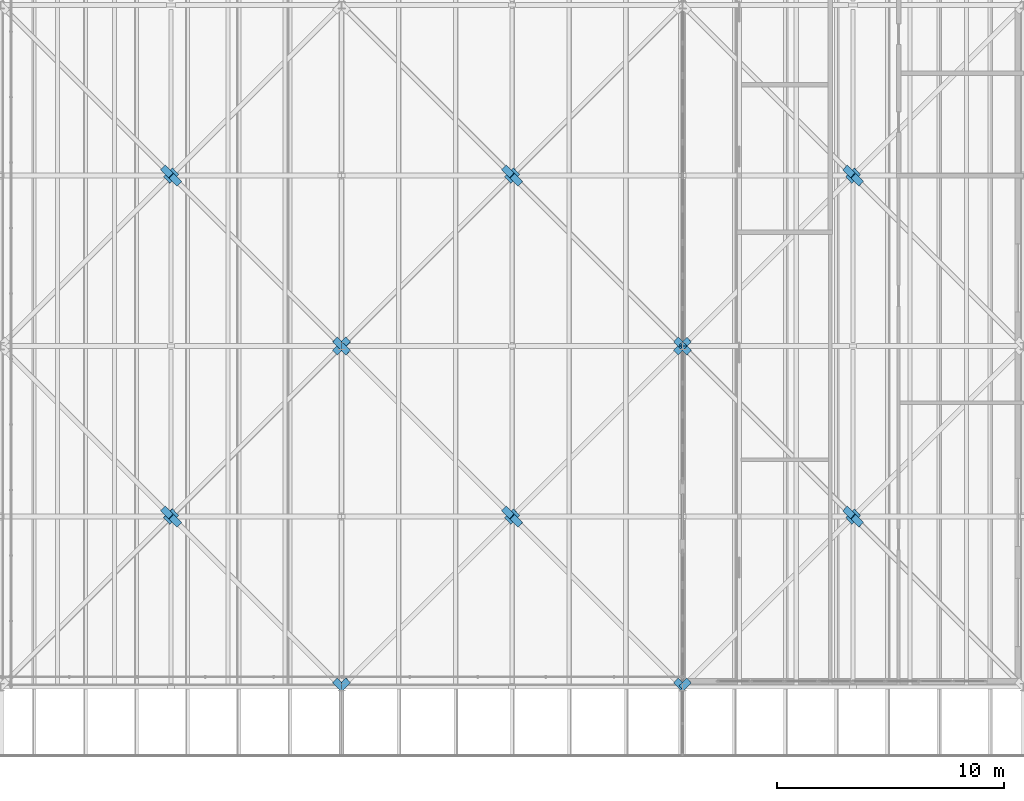
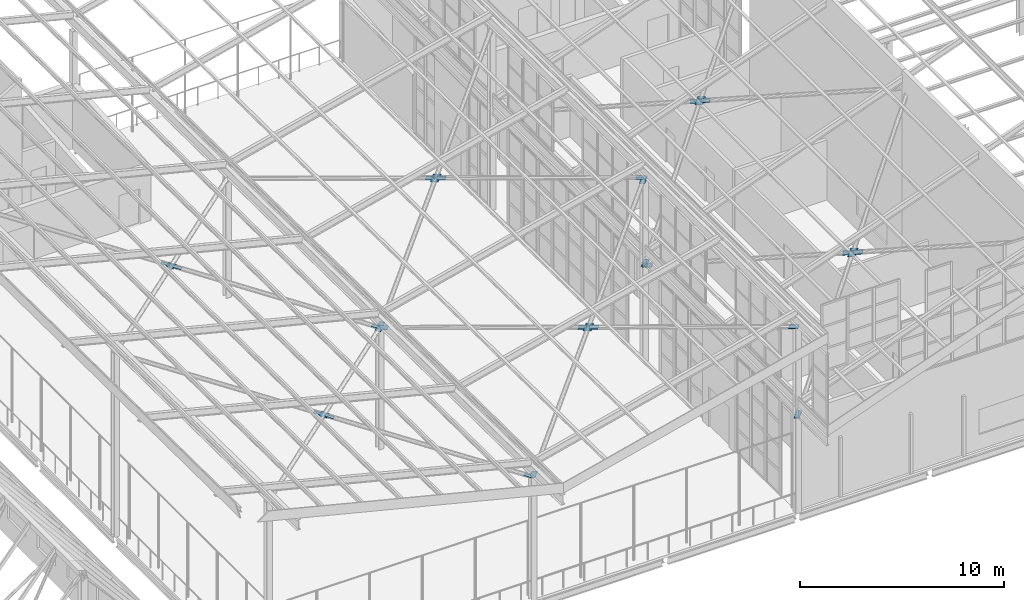
# One storey, part 431 of 483: 30 discrete accessories.
"""IFC4 building model written with IfcOpenShell, lengths in metres."""

import ifcopenshell
import ifcopenshell.guid

model = None  # the IFC model being written
_history = None  # IfcOwnerHistory: only IFC2X3 demands one
_inside = {}  # id of a spatial element -> (the spatial element, [elements in it])
_under = {}  # id of a project, library or spatial element -> (it, [spatial elements below it])
_declared = {}  # id of a project -> (the project, [libraries it declares])
_typed = {}  # id of a type object -> (the type object, [elements of that type])
_made_of = {}  # id of a material, layer set ... -> (it, [elements and type objects made of it])


def new_model(schema):
    """Start an empty IFC model of exactly this schema.

    Asked for "IFC4X3", IfcOpenShell would pick the latest addendum, in which some entities
    have other attributes; the version numbers below select the first issue.
    IFC2X3 requires an IfcOwnerHistory on every rooted entity: one is made here for all.
    """
    global model, _history
    if schema == "IFC4X3":
        model = ifcopenshell.file(schema_version=(4, 3, 0, 0))
    else:
        model = ifcopenshell.file(schema=schema)
    _inside.clear()
    _under.clear()
    _declared.clear()
    _typed.clear()
    _made_of.clear()
    _history = None
    if model.schema == "IFC2X3":
        org = make("IfcOrganization", Name="unknown")
        user = make(
            "IfcPersonAndOrganization",
            ThePerson=make("IfcPerson", FamilyName="unknown"),
            TheOrganization=org,
        )
        app = make(
            "IfcApplication",
            ApplicationDeveloper=org,
            Version="unknown",
            ApplicationFullName="unknown",
            ApplicationIdentifier="unknown",
        )
        _history = make(
            "IfcOwnerHistory",
            OwningUser=user,
            OwningApplication=app,
            ChangeAction="ADDED",
            CreationDate=0,
        )
    return model


def make(cls, **values):
    """One entity of the class cls with the attributes given. An attribute that is None is left unset."""
    return model.create_entity(
        cls, **{name: value for name, value in values.items() if value is not None}
    )


def rooted(cls, **values):
    """An entity with a GlobalId (a new one), such as an element, a storey or a relation."""
    return make(cls, GlobalId=ifcopenshell.guid.new(), OwnerHistory=_history, **values)


def si_unit(unit_type, name, prefix=None):
    """IfcSIUnit, for example si_unit("LENGTHUNIT", "METRE", prefix="MILLI")."""
    return make("IfcSIUnit", UnitType=unit_type, Prefix=prefix, Name=name)


def assignment(units):
    """IfcUnitAssignment: the units of a project."""
    return None if units is None else make("IfcUnitAssignment", Units=units)


def point(xyz):
    """IfcCartesianPoint."""
    return None if xyz is None else make("IfcCartesianPoint", Coordinates=xyz)


def direction(xyz):
    """IfcDirection."""
    return None if xyz is None else make("IfcDirection", DirectionRatios=xyz)


def frame(location, z_axis=None, x_axis=None):
    """IfcAxis2Placement3D, a coordinate frame: its origin and axes. An axis left out is left unset."""
    return make(
        "IfcAxis2Placement3D",
        Location=point(location),
        Axis=direction(z_axis),
        RefDirection=direction(x_axis),
    )


def origin():
    """The frame at (0, 0, 0) with its axes left unset."""
    return frame((0.0, 0.0, 0.0))


def place(relative_to, where):
    """IfcLocalPlacement: puts the frame where relative to a parent placement (None: the world)."""
    return make(
        "IfcLocalPlacement", PlacementRelTo=relative_to, RelativePlacement=where
    )


def context(
    kind, dimensions, precision=None, world=None, true_north=None, identifier=None
):
    """IfcGeometricRepresentationContext, for example the 3D "Model" context."""
    return make(
        "IfcGeometricRepresentationContext",
        ContextIdentifier=identifier,
        ContextType=kind,
        CoordinateSpaceDimension=dimensions,
        Precision=precision,
        WorldCoordinateSystem=world,
        TrueNorth=true_north,
    )


def subcontext(parent, identifier, kind, view, scale=None):
    """IfcGeometricRepresentationSubContext, for example "Body" below "Model"."""
    return make(
        "IfcGeometricRepresentationSubContext",
        ContextIdentifier=identifier,
        ContextType=kind,
        ParentContext=parent,
        TargetScale=scale,
        TargetView=view,
    )


def project(units=None, contexts=None):
    """IfcProject with its units and contexts."""
    return rooted(
        "IfcProject",
        Name="project",
        RepresentationContexts=contexts,
        UnitsInContext=assignment(units),
    )


def spatial(cls, under=None, at=None, **own):
    """A site, building, storey or space (cls), placed at a placement, below another one or the project."""
    s = rooted(cls, ObjectPlacement=at, **own)
    if under is not None:
        _under.setdefault(under.id(), (under, []))[1].append(s)
    return s


def polyline(points):
    """IfcPolyline through the points."""
    return make("IfcPolyline", Points=[point(p) for p in points])


def outline(outer, holes=None, kind="AREA"):
    """IfcArbitraryClosedProfileDef: a profile drawn as a closed curve; with holes, ...WithVoids."""
    if holes is None:
        return make("IfcArbitraryClosedProfileDef", ProfileType=kind, OuterCurve=outer)
    return make(
        "IfcArbitraryProfileDefWithVoids",
        ProfileType=kind,
        OuterCurve=outer,
        InnerCurves=holes,
    )


def extrude(swept, where, along, depth):
    """IfcExtrudedAreaSolid: the profile swept, set in the frame where, extruded along a direction by depth."""
    return make(
        "IfcExtrudedAreaSolid",
        SweptArea=swept,
        Position=where,
        ExtrudedDirection=direction(along),
        Depth=depth,
    )


def shape(context_of_items, identifier, shape_type, items):
    """IfcShapeRepresentation: the items that make up one representation, for example the "Body"."""
    return make(
        "IfcShapeRepresentation",
        ContextOfItems=context_of_items,
        RepresentationIdentifier=identifier,
        RepresentationType=shape_type,
        Items=items,
    )


def material(Name=None, Category=None):
    """IfcMaterial."""
    return make("IfcMaterial", Name=Name, Category=Category)


def layer(
    of_material, thickness, ventilated=None, Name=None, Category=None, Priority=None
):
    """IfcMaterialLayer: one layer of a wall or slab, of a material (None: an air gap)."""
    return make(
        "IfcMaterialLayer",
        Material=of_material,
        LayerThickness=thickness,
        IsVentilated=ventilated,
        Name=Name,
        Category=Category,
        Priority=Priority,
    )


def layer_set(layers, Name=None):
    """IfcMaterialLayerSet."""
    return make("IfcMaterialLayerSet", MaterialLayers=layers, LayerSetName=Name)


def made_of(thing, what):
    """Note that an element or type object is made of a material, layer set ...; save() writes the relation."""
    if what is not None:
        _made_of.setdefault(what.id(), (what, []))[1].append(thing)
    return thing


def type_object(cls, material=None, **own):
    """A type object (cls), such as IfcWallType, which elements share."""
    return made_of(rooted(cls, **own), material)


def element(
    cls,
    number,
    at=None,
    inside=None,
    cuts=None,
    type_object=None,
    material=None,
    context=None,
    identifier="Body",
    shape_type=None,
    held_by="IfcProductDefinitionShape",
    body=None,
    shapes=None,
    **own,
):
    """One element of the class cls, such as IfcWall. Its Tag is "e" and its number.

    at: its placement. inside: the storey or other place that contains it. cuts: it is an
    opening in that element (IfcRelVoidsElement). A single representation is given by context,
    identifier, shape_type and body (its items); several are given by shapes. held_by: the class
    of the entity that holds the representations. save() writes the other relations.
    """
    e = rooted(cls, Tag="e%d" % number, ObjectPlacement=at, **own)
    if body is not None:
        shapes = [shape(context, identifier, shape_type, body)]
    if shapes is not None:
        e.Representation = make(held_by, Representations=shapes)
    if inside is not None:
        _inside.setdefault(inside.id(), (inside, []))[1].append(e)
    if cuts is not None:
        rooted(
            "IfcRelVoidsElement", RelatingBuildingElement=cuts, RelatedOpeningElement=e
        )
    if type_object is not None:
        _typed.setdefault(type_object.id(), (type_object, []))[1].append(e)
    return made_of(e, material)


def aggregate(whole, parts):
    """IfcRelAggregates: a whole, such as a stair, and the parts it consists of."""
    return rooted("IfcRelAggregates", RelatingObject=whole, RelatedObjects=parts)


def save(model, path):
    """Write the relations noted so far, then the file.

    IfcRelAggregates (storeys below a building ...), IfcRelContainedInSpatialStructure (elements
    in a storey), IfcRelDefinesByType, IfcRelAssociatesMaterial and IfcRelDeclares: one each for
    every whole, place, type object, material and project.
    """
    for whole, parts in _under.values():
        aggregate(whole, parts)
    for where, things in _inside.values():
        rooted(
            "IfcRelContainedInSpatialStructure",
            RelatedElements=things,
            RelatingStructure=where,
        )
    for kind, things in _typed.values():
        rooted("IfcRelDefinesByType", RelatedObjects=things, RelatingType=kind)
    for what, things in _made_of.values():
        rooted("IfcRelAssociatesMaterial", RelatedObjects=things, RelatingMaterial=what)
    for by, libraries in _declared.values():
        rooted("IfcRelDeclares", RelatingContext=by, RelatedDefinitions=libraries)
    model.write(path)


model = new_model("IFC4")

# Units and contexts
model_context = context("Model", 3, precision=1e-05, world=origin(), true_north=direction((0.0, 1.0)))
body_context = subcontext(model_context, "Body", "Model", "MODEL_VIEW")
ifc_project = project(units=[si_unit("LENGTHUNIT", "METRE"), si_unit("AREAUNIT", "SQUARE_METRE"), si_unit("VOLUMEUNIT", "CUBIC_METRE"), si_unit("PLANEANGLEUNIT", "RADIAN"), si_unit("MASSUNIT", "GRAM", prefix="KILO")], contexts=[model_context])

# Site, building, storey
site_placement = place(None, origin())
site = spatial("IfcSite", under=ifc_project, at=site_placement, CompositionType="ELEMENT")
building_placement = place(site_placement, origin())
building = spatial("IfcBuilding", under=site, at=building_placement, Name="Parallax Yard Mobility Hub", CompositionType="ELEMENT")
storey_placement = place(building_placement, frame((0.0, 0.0, 13.199951171875)))
storey = spatial("IfcBuildingStorey", under=building, at=storey_placement, Name="L04", CompositionType="ELEMENT", Elevation=13.199951171875)

# Discrete accessories
ifc_material = material(Name="Steel ASTM A36", Category="steel")
ifc_layer = layer(ifc_material, 0.011962890625)
ifc_layer_set = layer_set([ifc_layer], Name="Gusset plate PL12")
discrete_accessory_type = type_object("IfcDiscreteAccessoryType", Name="Gusset plate PL12", PredefinedType="BRACKET", material=ifc_layer_set)
discrete_accessory_1_placement = place(storey_placement, frame((112.309814453125, 22.10107421875, 7.261962890625), z_axis=(0.242586631281, 0.009570044541, 0.970082543174), x_axis=(0.69519976055, 0.695730493303, -0.180710745722)))
element("IfcDiscreteAccessory", 1, at=discrete_accessory_1_placement, inside=storey, type_object=discrete_accessory_type, Name="Gusset plate PL12 at end 2 of Roof X brace west wing bay 1 1", PredefinedType="BRACKET", context=body_context, shape_type="SweptSolid", body=[
    extrude(outline(polyline([(0.0, 0.0), (0.4989965542944394, -5.377642775528102e-17), (0.49920082790741876, 0.2989289523906563), (-9.571725465796696e-06, 0.2991337295489009), (0.0, 0.0)])), origin(), (0.0, 0.0, -1.0), 0.011962890625),
])
discrete_accessory_2_placement = place(storey_placement, frame((112.10693359375, 7.68505859375, 7.45703125), z_axis=(0.242799628233, 0.010075493116, 0.970024136281), x_axis=(0.696916523489, -0.697389940708, -0.167196381202)))
element("IfcDiscreteAccessory", 2, at=discrete_accessory_2_placement, inside=storey, type_object=discrete_accessory_type, Name="Gusset plate PL12 at end 1 of Roof X brace west wing bay 1 2 (half 1)", PredefinedType="BRACKET", context=body_context, shape_type="SweptSolid", body=[
    extrude(outline(polyline([(0.0, 0.0), (0.4992102694806584, -1.734723475976807e-17), (0.4990780979430658, 0.2993313102983865), (-0.00013205595721666775, 0.29899160776985756), (0.0, 0.0)])), origin(), (0.0, 0.0, -1.0), 0.011962890625),
])
discrete_accessory_3_placement = place(storey_placement, frame((105.46240234375, 14.74560546875, 9.04736328125), z_axis=(0.242908959309, 0.010109821704, 0.96999640669), x_axis=(-0.697139233166, 0.697139233166, 0.16731341596)))
element("IfcDiscreteAccessory", 3, at=discrete_accessory_3_placement, inside=storey, type_object=discrete_accessory_type, Name="Gusset plate PL12 at end 2 of Roof X brace west wing bay 1 2 (half 1)", PredefinedType="BRACKET", context=body_context, shape_type="SweptSolid", body=[
    extrude(outline(polyline([(0.0, 0.0), (0.4990400397418667, -3.469446951953614e-18), (0.4990128077405712, 0.2989916372858367), (-2.723200129558373e-05, 0.2989916372858368), (0.0, 0.0)])), origin(), (0.0, 0.0, -1.0), 0.011962890625),
])
discrete_accessory_4_placement = place(storey_placement, frame((104.53759765625, 15.25439453125, 9.2734375), z_axis=(0.242374545788, 0.00954194632, 0.970135831116), x_axis=(0.697139233166, -0.697139233166, -0.16731341596)))
element("IfcDiscreteAccessory", 4, at=discrete_accessory_4_placement, inside=storey, type_object=discrete_accessory_type, Name="Gusset plate PL12 at end 1 of Roof X brace west wing bay 1 2 (half 2)", PredefinedType="BRACKET", context=body_context, shape_type="SweptSolid", body=[
    extrude(outline(polyline([(0.0, 0.0), (0.4990400397418667, -5.204170427930421e-18), (0.49897195973862785, 0.2989486672853087), (-6.808000323892983e-05, 0.2989486672853087), (0.0, 0.0)])), origin(), (0.0, 0.0, -1.0), 0.011962890625),
])
discrete_accessory_5_placement = place(storey_placement, frame((112.10693359375, 22.68505859375, 7.306884765625), z_axis=(0.242265477454, 0.009507928911, 0.970163407742), x_axis=(0.696916425182, -0.697389978354, -0.167196633949)))
element("IfcDiscreteAccessory", 5, at=discrete_accessory_5_placement, inside=storey, type_object=discrete_accessory_type, Name="Gusset plate PL12 at end 1 of Roof X brace west wing bay 2 2 (half 1)", PredefinedType="BRACKET", context=body_context, shape_type="SweptSolid", body=[
    extrude(outline(polyline([(0.0, 0.0), (0.4992102694889562, -7.979727989493313e-17), (0.4990372638619173, 0.29928837476538206), (-0.00017289001347155566, 0.29894862346398243), (0.0, 0.0)])), origin(), (0.0, 0.0, -1.0), 0.011962890625),
])
for number, where, z_axis, x_axis, name in (
    (6, (105.46240234375, 29.74560546875, 8.8974609375), (0.242374545788, 0.00954194632, 0.970135831116), (-0.697139233166, 0.697139233166, 0.16731341596), "Gusset plate PL12 at end 2 of Roof X brace west wing bay 2 2 (half 1)"),
    (7, (104.53759765625, 30.25439453125, 9.12353515625), (0.242374545788, 0.00954194632, 0.970135831116), (0.697139233166, -0.697139233166, -0.16731341596), "Gusset plate PL12 at end 1 of Roof X brace west wing bay 2 2 (half 2)"),
):
    element("IfcDiscreteAccessory", number, at=place(storey_placement, frame(where, z_axis=z_axis, x_axis=x_axis)), inside=storey, type_object=discrete_accessory_type, Name=name, PredefinedType="BRACKET", context=body_context, shape_type="SweptSolid", body=[
        extrude(outline(polyline([(0.0, 0.0), (0.4990400397418667, -5.204170427930421e-18), (0.49897195973862785, 0.2989486672853087), (-6.808000323892983e-05, 0.2989486672853087), (0.0, 0.0)])), origin(), (0.0, 0.0, -1.0), 0.011962890625),
    ])
for number, where, z_axis, x_axis, name in (
    (8, (112.69140625, 7.8994140625, 7.404296875), (-0.242799628233, 0.010075493116, 0.970024136281), (-0.697375550268, -0.696902133049, -0.167316343613), "Gusset plate PL12 at end 1 of Roof X brace east wing bay 1 1"),
    (9, (127.30859375, 22.1005859375, 10.916748046875), (-0.242799628233, 0.010075493116, 0.970024136281), (0.697375550268, 0.696902133049, 0.167316343613), "Gusset plate PL12 at end 2 of Roof X brace east wing bay 1 1"),
):
    element("IfcDiscreteAccessory", number, at=place(storey_placement, frame(where, z_axis=z_axis, x_axis=x_axis)), inside=storey, type_object=discrete_accessory_type, Name=name, PredefinedType="BRACKET", context=body_context, shape_type="SweptSolid", body=[
        extrude(outline(polyline([(0.0, 0.0), (0.49921026948065833, -5.898059818321144e-17), (0.49913875206297675, 0.299331330935342), (-7.140183730564888e-05, 0.29899162840681315), (0.0, 0.0)])), origin(), (0.0, 0.0, -1.0), 0.011962890625),
    ])
for number, where, z_axis, x_axis, name in (
    (10, (112.892578125, 22.31591796875, 7.310546875), (-0.242586631281, 0.009570044541, 0.970082543174), (-0.695477263413, 0.695435811576, -0.180777233226), "Gusset plate PL12 at end 1 of Roof X brace east wing bay 1 2 (half 1)"),
    (11, (119.5380859375, 15.25341796875, 9.04248046875), (-0.242586631281, 0.009570044541, 0.970082543174), (0.695477263413, -0.695435811576, 0.180777233226), "Gusset plate PL12 at end 2 of Roof X brace east wing bay 1 2 (half 1)"),
    (12, (120.4619140625, 14.74658203125, 9.278564453125), (-0.242586631281, 0.009570044541, 0.970082543174), (-0.695477263413, 0.695435811576, -0.180777233226), "Gusset plate PL12 at end 1 of Roof X brace east wing bay 1 2 (half 2)"),
):
    element("IfcDiscreteAccessory", number, at=place(storey_placement, frame(where, z_axis=z_axis, x_axis=x_axis)), inside=storey, type_object=discrete_accessory_type, Name=name, PredefinedType="BRACKET", context=body_context, shape_type="SweptSolid", body=[
        extrude(outline(polyline([(0.0, 0.0), (0.4992104416328938, -6.938893903907228e-18), (0.4991287893131847, 0.298929011034364), (0.0001322770007596303, 0.29913370045557885), (0.0, 0.0)])), origin(), (0.0, 0.0, -1.0), 0.011962890625),
    ])
discrete_accessory_6_placement = place(storey_placement, frame((127.107421875, 7.68408203125, 11.010498046875), z_axis=(-0.242483700594, 0.010019551945, 0.970103738538), x_axis=(0.695419721589, -0.695433505261, 0.181007321909)))
element("IfcDiscreteAccessory", 13, at=discrete_accessory_6_placement, inside=storey, type_object=discrete_accessory_type, Name="Gusset plate PL12 at end 2 of Roof X brace east wing bay 1 2 (half 2)", PredefinedType="BRACKET", context=body_context, shape_type="SweptSolid", body=[
    extrude(outline(polyline([(0.0, 0.0), (0.4992104486542618, -8.673617379884035e-18), (0.49912878229296537, 0.29892902275618893), (8.811384416971754e-05, 0.2990941732092219), (0.0, 0.0)])), origin(), (0.0, 0.0, -1.0), 0.011962890625),
])
discrete_accessory_7_placement = place(storey_placement, frame((112.69140625, 22.8994140625, 7.25439453125), z_axis=(-0.242265477454, 0.009507928911, 0.970163407742), x_axis=(-0.697375648552, -0.69690209538, -0.167316090862)))
element("IfcDiscreteAccessory", 14, at=discrete_accessory_7_placement, inside=storey, type_object=discrete_accessory_type, Name="Gusset plate PL12 at end 1 of Roof X brace east wing bay 2 1", PredefinedType="BRACKET", context=body_context, shape_type="SweptSolid", body=[
    extrude(outline(polyline([(0.0, 0.0), (0.4992102694889562, 2.0816681711721685e-17), (0.49917958612753294, 0.2992884231960571), (-3.056774785598591e-05, 0.2989486718946574), (0.0, 0.0)])), origin(), (0.0, 0.0, -1.0), 0.011962890625),
])
for number, where, z_axis, x_axis, name in (
    (15, (119.5380859375, 30.25341796875, 8.892333984375), (-0.243019453655, 0.009450587928, 0.969975376766), (0.695419657991, -0.695433537765, 0.181007441372), "Gusset plate PL12 at end 2 of Roof X brace east wing bay 2 2 (half 1)"),
    (16, (120.4619140625, 29.74658203125, 9.128662109375), (-0.243019453655, 0.009450587928, 0.969975376766), (-0.695419657991, 0.695433537765, -0.181007441372), "Gusset plate PL12 at end 1 of Roof X brace east wing bay 2 2 (half 2)"),
):
    element("IfcDiscreteAccessory", number, at=place(storey_placement, frame(where, z_axis=z_axis, x_axis=x_axis)), inside=storey, type_object=discrete_accessory_type, Name=name, PredefinedType="BRACKET", context=body_context, shape_type="SweptSolid", body=[
        extrude(outline(polyline([(0.0, 0.0), (0.4992104486503797, -3.469446951953614e-18), (0.4991729594943123, 0.29896860863647173), (0.0001322910338718286, 0.29913371216053164), (0.0, 0.0)])), origin(), (0.0, 0.0, -1.0), 0.011962890625),
    ])
discrete_accessory_8_placement = place(storey_placement, frame((127.107421875, 22.68408203125, 10.860595703125), z_axis=(-0.242586631281, 0.009570044541, 0.970082543174), x_axis=(0.695423654952, -0.695492757485, 0.180764389246)))
element("IfcDiscreteAccessory", 17, at=discrete_accessory_8_placement, inside=storey, type_object=discrete_accessory_type, Name="Gusset plate PL12 at end 2 of Roof X brace east wing bay 2 2 (half 2)", PredefinedType="BRACKET", context=body_context, shape_type="SweptSolid", body=[
    extrude(outline(polyline([(0.0, 0.0), (0.49916630813398755, 2.42861286636753e-17), (0.4991050955298454, 0.2989685695443124), (6.443663064938446e-05, 0.2990941440795739), (0.0, 0.0)])), origin(), (0.0, 0.0, -1.0), 0.011962890625),
])
discrete_accessory_9_placement = place(storey_placement, frame((127.69091796875, 7.89599609375, 5.759033203125), z_axis=(-0.339081149827, 0.000650633206, 0.940756902982), x_axis=(-0.685512498147, -0.685023249903, -0.246608519676)))
element("IfcDiscreteAccessory", 18, at=discrete_accessory_9_placement, inside=storey, type_object=discrete_accessory_type, Name="Gusset plate PL12 at end 1 of Roof X brace pavilion bay 1 1", PredefinedType="BRACKET", context=body_context, shape_type="SweptSolid", body=[
    extrude(outline(polyline([(0.0, 0.0), (0.49895660490347893, -3.469446951953614e-17), (0.4990964908942693, 0.29912902758758764), (-2.7356013580608074e-05, 0.29895116603604455), (0.0, 0.0)])), origin(), (0.0, 0.0, -1.0), 0.011962890625),
])
discrete_accessory_10_placement = place(storey_placement, frame((127.883544921875, 22.32177734375, 5.82861328125), z_axis=(-0.339081149827, -0.000650633206, 0.940756902982), x_axis=(-0.685282867084, 0.685282813024, -0.246525573226)))
element("IfcDiscreteAccessory", 19, at=discrete_accessory_10_placement, inside=storey, type_object=discrete_accessory_type, Name="Gusset plate PL12 at end 1 of Roof X brace pavilion bay 1 2 (half 1)", PredefinedType="BRACKET", context=body_context, shape_type="SweptSolid", body=[
    extrude(outline(polyline([(0.0, 0.0), (0.4991238785981114, 2.0816681711721685e-17), (0.49887739873191944, 0.29912895874732987), (-7.917449191850029e-05, 0.2989511568033514), (0.0, 0.0)])), origin(), (0.0, 0.0, -1.0), 0.011962890625),
])
discrete_accessory_11_placement = place(storey_placement, frame((134.548095703125, 15.24658203125, 8.227783203125), z_axis=(-0.338902990876, -0.000448945525, 0.940821216397), x_axis=(0.685282775917, -0.685282813177, 0.246525826224)))
element("IfcDiscreteAccessory", 20, at=discrete_accessory_11_placement, inside=storey, type_object=discrete_accessory_type, Name="Gusset plate PL12 at end 2 of Roof X brace pavilion bay 1 2 (half 1)", PredefinedType="BRACKET", context=body_context, shape_type="SweptSolid", body=[
    extrude(outline(polyline([(0.0, 0.0), (0.4991238785981148, 3.469446951953614e-18), (0.49921200948051375, 0.2991085227634167), (-7.917449191185977e-05, 0.2992863247445324), (0.0, 0.0)])), origin(), (0.0, 0.0, -1.0), 0.011962890625),
])
discrete_accessory_12_placement = place(storey_placement, frame((135.451904296875, 14.75341796875, 8.55322265625), z_axis=(-0.338813123769, -1.1772756e-05, 0.940853690551), x_axis=(-0.685278081111, 0.685200126595, -0.24676859213)))
element("IfcDiscreteAccessory", 21, at=discrete_accessory_12_placement, inside=storey, type_object=discrete_accessory_type, Name="Gusset plate PL12 at end 1 of Roof X brace pavilion bay 1 2 (half 2)", PredefinedType="BRACKET", context=body_context, shape_type="SweptSolid", body=[
    extrude(outline(polyline([(0.0, 0.0), (0.49918410840404837, 8.673617379884035e-17), (0.49924598616765475, 0.2990518083790362), (-4.516118523770207e-05, 0.2992863097735979), (0.0, 0.0)])), origin(), (0.0, 0.0, -1.0), 0.011962890625),
])
discrete_accessory_13_placement = place(storey_placement, frame((127.69091796875, 22.89599609375, 5.759033203125), z_axis=(-0.339081149827, 0.000650633206, 0.940756902982), x_axis=(-0.685512498147, -0.685023249903, -0.246608519676)))
element("IfcDiscreteAccessory", 22, at=discrete_accessory_13_placement, inside=storey, type_object=discrete_accessory_type, Name="Gusset plate PL12 at end 1 of Roof X brace pavilion bay 2 1", PredefinedType="BRACKET", context=body_context, shape_type="SweptSolid", body=[
    extrude(outline(polyline([(0.0, 0.0), (0.49895660490347893, -3.469446951953614e-17), (0.4990964908942693, 0.29912902758758764), (-2.7356013580608074e-05, 0.29895116603604455), (0.0, 0.0)])), origin(), (0.0, 0.0, -1.0), 0.011962890625),
])
discrete_accessory_14_placement = place(storey_placement, frame((134.548095703125, 30.24658203125, 8.227783203125), z_axis=(-0.338902990876, -0.000448945525, 0.940821216397), x_axis=(0.685282775917, -0.685282813177, 0.246525826224)))
element("IfcDiscreteAccessory", 23, at=discrete_accessory_14_placement, inside=storey, type_object=discrete_accessory_type, Name="Gusset plate PL12 at end 2 of Roof X brace pavilion bay 2 2 (half 1)", PredefinedType="BRACKET", context=body_context, shape_type="SweptSolid", body=[
    extrude(outline(polyline([(0.0, 0.0), (0.4991238785981148, 3.469446951953614e-18), (0.49921200948051375, 0.2991085227634167), (-7.917449191185977e-05, 0.2992863247445324), (0.0, 0.0)])), origin(), (0.0, 0.0, -1.0), 0.011962890625),
])
discrete_accessory_15_placement = place(storey_placement, frame((135.451904296875, 29.75341796875, 8.55322265625), z_axis=(-0.338813123769, -1.1772756e-05, 0.940853690551), x_axis=(-0.685278081111, 0.685200126595, -0.24676859213)))
element("IfcDiscreteAccessory", 24, at=discrete_accessory_15_placement, inside=storey, type_object=discrete_accessory_type, Name="Gusset plate PL12 at end 1 of Roof X brace pavilion bay 2 2 (half 2)", PredefinedType="BRACKET", context=body_context, shape_type="SweptSolid", body=[
    extrude(outline(polyline([(0.0, 0.0), (0.49918410840404837, 8.673617379884035e-17), (0.49924598616765475, 0.2990518083790362), (-4.516118523770207e-05, 0.2992863097735979), (0.0, 0.0)])), origin(), (0.0, 0.0, -1.0), 0.011962890625),
])
discrete_accessory_16_placement = place(storey_placement, frame((104.947265625, 14.654296875, 9.17724609375), z_axis=(0.242298796947, 0.009970879195, 0.970150439141), x_axis=(0.695659909722, 0.695224032585, -0.180889011613)))
element("IfcDiscreteAccessory", 25, at=discrete_accessory_16_placement, inside=storey, type_object=discrete_accessory_type, Name="Gusset plate PL12 crossing node of Roof X brace west wing bay 1 2", PredefinedType="BRACKET", context=body_context, shape_type="SweptSolid", body=[
    extrude(outline(polyline([(0.0, 0.0), (0.5601134003193873, 2.0816681711721685e-17), (0.560102865203053, 0.42020204632384284), (-1.0535116334286707e-05, 0.42020204632384284), (0.0, 0.0)])), origin(), (0.0, 0.0, -1.0), 0.011962890625),
])
discrete_accessory_17_placement = place(storey_placement, frame((104.947265625, 29.654296875, 9.027099609375), z_axis=(0.242679915393, 0.009565796239, 0.970059252936), x_axis=(0.695659909722, 0.695224032585, -0.180889011613)))
element("IfcDiscreteAccessory", 26, at=discrete_accessory_17_placement, inside=storey, type_object=discrete_accessory_type, Name="Gusset plate PL12 crossing node of Roof X brace west wing bay 2 2", PredefinedType="BRACKET", context=body_context, shape_type="SweptSolid", body=[
    extrude(outline(polyline([(0.0, 0.0), (0.5601134003193873, -1.734723475976807e-17), (0.5600587028467021, 0.4202415455914134), (-5.469747268513174e-05, 0.4202415455914134), (0.0, 0.0)])), origin(), (0.0, 0.0, -1.0), 0.011962890625),
])
discrete_accessory_18_placement = place(storey_placement, frame((119.946533203125, 14.654296875, 9.150634765625), z_axis=(-0.242417129998, 0.009745312928, 0.970123169479), x_axis=(0.697126593346, 0.697179923447, 0.167196492761)))
element("IfcDiscreteAccessory", 27, at=discrete_accessory_18_placement, inside=storey, type_object=discrete_accessory_type, Name="Gusset plate PL12 crossing node of Roof X brace east wing bay 1 2", PredefinedType="BRACKET", context=body_context, shape_type="SweptSolid", body=[
    extrude(outline(polyline([(0.0, 0.0), (0.5599444279981014, 1.0408340855860843e-17), (0.5598871843267242, 0.4199938129454011), (-9.806312761760465e-05, 0.4200367333733641), (0.0, 0.0)])), origin(), (0.0, 0.0, -1.0), 0.011962890625),
])
discrete_accessory_19_placement = place(storey_placement, frame((119.946533203125, 29.654296875, 9.00048828125), z_axis=(-0.242374288648, 0.009395719625, 0.970137322576), x_axis=(0.697127024817, 0.697127024817, 0.167415120406)))
element("IfcDiscreteAccessory", 28, at=discrete_accessory_19_placement, inside=storey, type_object=discrete_accessory_type, Name="Gusset plate PL12 crossing node of Roof X brace east wing bay 2 2", PredefinedType="BRACKET", context=body_context, shape_type="SweptSolid", body=[
    extrude(outline(polyline([(0.0, 0.0), (0.5599852616209886, 4.5102810375396984e-17), (0.5598958523007033, 0.41999382402517693), (-8.940932028531426e-05, 0.41999382402517693), (0.0, 0.0)])), origin(), (0.0, 0.0, -1.0), 0.011962890625),
])
for number, where, z_axis, x_axis, name in (
    (29, (134.943603515625, 14.6552734375, 8.3701171875), (-0.338530496068, -0.00026149432, 0.940955384092), (0.685451873486, 0.685015835398, 0.246797557502), "Gusset plate PL12 crossing node of Roof X brace pavilion bay 1 2"),
    (30, (134.943603515625, 29.6552734375, 8.3701171875), (-0.338530496068, -0.00026149432, 0.940955384092), (0.685451873486, 0.685015835398, 0.246797557502), "Gusset plate PL12 crossing node of Roof X brace pavilion bay 2 2"),
):
    element("IfcDiscreteAccessory", number, at=place(storey_placement, frame(where, z_axis=z_axis, x_axis=x_axis)), inside=storey, type_object=discrete_accessory_type, Name=name, PredefinedType="BRACKET", context=body_context, shape_type="SweptSolid", body=[
        extrude(outline(polyline([(0.0, 0.0), (0.5599066504091498, -3.469446951953614e-17), (0.5596627628948997, 0.4201282793846332), (-0.000243887514250158, 0.42012827938463326), (0.0, 0.0)])), origin(), (0.0, 0.0, -1.0), 0.011962890625),
    ])

save(model, "model.ifc")
